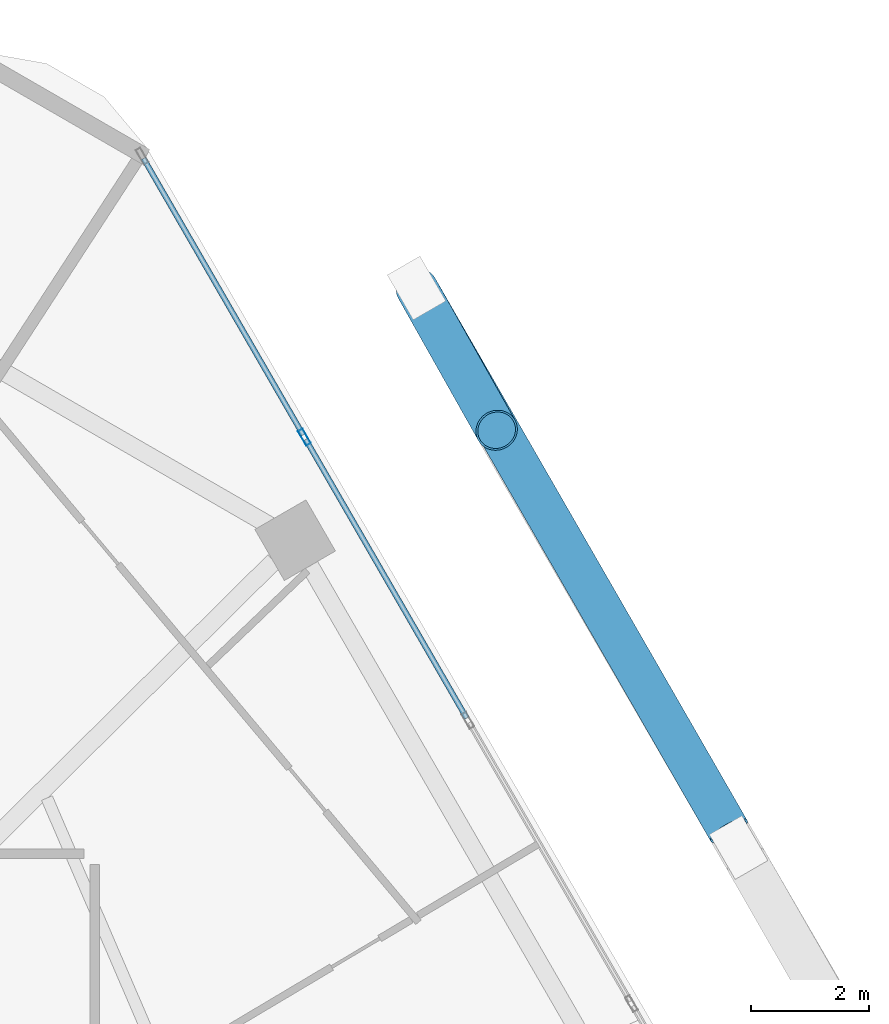
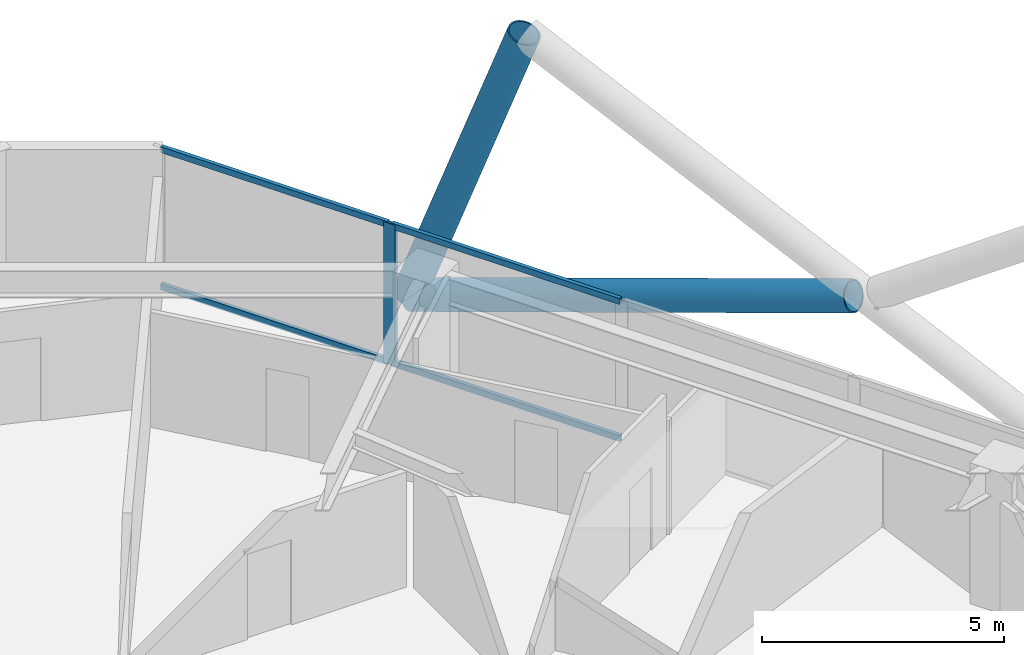
# One storey, part 19 of 29: 7 members, 1 element without a shape of its own.
"""IFC4 building model written with IfcOpenShell, lengths in metres."""

import ifcopenshell
import ifcopenshell.guid

model = None  # the IFC model being written
_history = None  # IfcOwnerHistory: only IFC2X3 demands one
_inside = {}  # id of a spatial element -> (the spatial element, [elements in it])
_under = {}  # id of a project, library or spatial element -> (it, [spatial elements below it])
_declared = {}  # id of a project -> (the project, [libraries it declares])
_typed = {}  # id of a type object -> (the type object, [elements of that type])
_made_of = {}  # id of a material, layer set ... -> (it, [elements and type objects made of it])


def new_model(schema):
    """Start an empty IFC model of exactly this schema.

    Asked for "IFC4X3", IfcOpenShell would pick the latest addendum, in which some entities
    have other attributes; the version numbers below select the first issue.
    IFC2X3 requires an IfcOwnerHistory on every rooted entity: one is made here for all.
    """
    global model, _history
    if schema == "IFC4X3":
        model = ifcopenshell.file(schema_version=(4, 3, 0, 0))
    else:
        model = ifcopenshell.file(schema=schema)
    _inside.clear()
    _under.clear()
    _declared.clear()
    _typed.clear()
    _made_of.clear()
    _history = None
    if model.schema == "IFC2X3":
        org = make("IfcOrganization", Name="unknown")
        user = make(
            "IfcPersonAndOrganization",
            ThePerson=make("IfcPerson", FamilyName="unknown"),
            TheOrganization=org,
        )
        app = make(
            "IfcApplication",
            ApplicationDeveloper=org,
            Version="unknown",
            ApplicationFullName="unknown",
            ApplicationIdentifier="unknown",
        )
        _history = make(
            "IfcOwnerHistory",
            OwningUser=user,
            OwningApplication=app,
            ChangeAction="ADDED",
            CreationDate=0,
        )
    return model


def make(cls, **values):
    """One entity of the class cls with the attributes given. An attribute that is None is left unset."""
    return model.create_entity(
        cls, **{name: value for name, value in values.items() if value is not None}
    )


def rooted(cls, **values):
    """An entity with a GlobalId (a new one), such as an element, a storey or a relation."""
    return make(cls, GlobalId=ifcopenshell.guid.new(), OwnerHistory=_history, **values)


def si_unit(unit_type, name, prefix=None):
    """IfcSIUnit, for example si_unit("LENGTHUNIT", "METRE", prefix="MILLI")."""
    return make("IfcSIUnit", UnitType=unit_type, Prefix=prefix, Name=name)


def assignment(units):
    """IfcUnitAssignment: the units of a project."""
    return None if units is None else make("IfcUnitAssignment", Units=units)


def point(xyz):
    """IfcCartesianPoint."""
    return None if xyz is None else make("IfcCartesianPoint", Coordinates=xyz)


def direction(xyz):
    """IfcDirection."""
    return None if xyz is None else make("IfcDirection", DirectionRatios=xyz)


def frame(location, z_axis=None, x_axis=None):
    """IfcAxis2Placement3D, a coordinate frame: its origin and axes. An axis left out is left unset."""
    return make(
        "IfcAxis2Placement3D",
        Location=point(location),
        Axis=direction(z_axis),
        RefDirection=direction(x_axis),
    )


def frame_2d(location, x_axis=None):
    """IfcAxis2Placement2D, a coordinate frame in the plane: its origin and x axis."""
    return make(
        "IfcAxis2Placement2D", Location=point(location), RefDirection=direction(x_axis)
    )


def origin():
    """The frame at (0, 0, 0) with its axes left unset."""
    return frame((0.0, 0.0, 0.0))


def origin_2d():
    """The frame at (0, 0) in the plane with its x axis left unset."""
    return frame_2d((0.0, 0.0))


def place(relative_to, where):
    """IfcLocalPlacement: puts the frame where relative to a parent placement (None: the world)."""
    return make(
        "IfcLocalPlacement", PlacementRelTo=relative_to, RelativePlacement=where
    )


def context(
    kind, dimensions, precision=None, world=None, true_north=None, identifier=None
):
    """IfcGeometricRepresentationContext, for example the 3D "Model" context."""
    return make(
        "IfcGeometricRepresentationContext",
        ContextIdentifier=identifier,
        ContextType=kind,
        CoordinateSpaceDimension=dimensions,
        Precision=precision,
        WorldCoordinateSystem=world,
        TrueNorth=true_north,
    )


def subcontext(parent, identifier, kind, view, scale=None):
    """IfcGeometricRepresentationSubContext, for example "Body" below "Model"."""
    return make(
        "IfcGeometricRepresentationSubContext",
        ContextIdentifier=identifier,
        ContextType=kind,
        ParentContext=parent,
        TargetScale=scale,
        TargetView=view,
    )


def project(units=None, contexts=None):
    """IfcProject with its units and contexts."""
    return rooted(
        "IfcProject",
        Name="project",
        RepresentationContexts=contexts,
        UnitsInContext=assignment(units),
    )


def spatial(cls, under=None, at=None, **own):
    """A site, building, storey or space (cls), placed at a placement, below another one or the project."""
    s = rooted(cls, ObjectPlacement=at, **own)
    if under is not None:
        _under.setdefault(under.id(), (under, []))[1].append(s)
    return s


def profile(cls, at=None, kind="AREA", **sizes):
    """A parametric profile (cls). Its sizes go by their IFC names, for example OverallWidth=200.0."""
    return make(cls, ProfileType=kind, Position=at, **sizes)


def hollow_rectangle(**sizes):
    """IfcRectangleHollowProfileDef."""
    return profile("IfcRectangleHollowProfileDef", **sizes)


def hollow_circle(**sizes):
    """IfcCircleHollowProfileDef."""
    return profile("IfcCircleHollowProfileDef", **sizes)


def extrude(swept, where, along, depth):
    """IfcExtrudedAreaSolid: the profile swept, set in the frame where, extruded along a direction by depth."""
    return make(
        "IfcExtrudedAreaSolid",
        SweptArea=swept,
        Position=where,
        ExtrudedDirection=direction(along),
        Depth=depth,
    )


def shape(context_of_items, identifier, shape_type, items):
    """IfcShapeRepresentation: the items that make up one representation, for example the "Body"."""
    return make(
        "IfcShapeRepresentation",
        ContextOfItems=context_of_items,
        RepresentationIdentifier=identifier,
        RepresentationType=shape_type,
        Items=items,
    )


def material(Name=None, Category=None):
    """IfcMaterial."""
    return make("IfcMaterial", Name=Name, Category=Category)


def material_profile(
    of_material, cross_section, Name=None, Category=None, Priority=None
):
    """IfcMaterialProfile: a cross section and its material."""
    return make(
        "IfcMaterialProfile",
        Name=Name,
        Material=of_material,
        Profile=cross_section,
        Priority=Priority,
        Category=Category,
    )


def profile_set(profiles, Name=None, composite=None):
    """IfcMaterialProfileSet."""
    return make(
        "IfcMaterialProfileSet",
        Name=Name,
        MaterialProfiles=profiles,
        CompositeProfile=composite,
    )


def made_of(thing, what):
    """Note that an element or type object is made of a material, layer set ...; save() writes the relation."""
    if what is not None:
        _made_of.setdefault(what.id(), (what, []))[1].append(thing)
    return thing


def type_object(cls, material=None, **own):
    """A type object (cls), such as IfcWallType, which elements share."""
    return made_of(rooted(cls, **own), material)


def element(
    cls,
    number,
    at=None,
    inside=None,
    cuts=None,
    type_object=None,
    material=None,
    context=None,
    identifier="Body",
    shape_type=None,
    held_by="IfcProductDefinitionShape",
    body=None,
    shapes=None,
    **own,
):
    """One element of the class cls, such as IfcWall. Its Tag is "e" and its number.

    at: its placement. inside: the storey or other place that contains it. cuts: it is an
    opening in that element (IfcRelVoidsElement). A single representation is given by context,
    identifier, shape_type and body (its items); several are given by shapes. held_by: the class
    of the entity that holds the representations. save() writes the other relations.
    """
    e = rooted(cls, Tag="e%d" % number, ObjectPlacement=at, **own)
    if body is not None:
        shapes = [shape(context, identifier, shape_type, body)]
    if shapes is not None:
        e.Representation = make(held_by, Representations=shapes)
    if inside is not None:
        _inside.setdefault(inside.id(), (inside, []))[1].append(e)
    if cuts is not None:
        rooted(
            "IfcRelVoidsElement", RelatingBuildingElement=cuts, RelatedOpeningElement=e
        )
    if type_object is not None:
        _typed.setdefault(type_object.id(), (type_object, []))[1].append(e)
    return made_of(e, material)


def aggregate(whole, parts):
    """IfcRelAggregates: a whole, such as a stair, and the parts it consists of."""
    return rooted("IfcRelAggregates", RelatingObject=whole, RelatedObjects=parts)


def save(model, path):
    """Write the relations noted so far, then the file.

    IfcRelAggregates (storeys below a building ...), IfcRelContainedInSpatialStructure (elements
    in a storey), IfcRelDefinesByType, IfcRelAssociatesMaterial and IfcRelDeclares: one each for
    every whole, place, type object, material and project.
    """
    for whole, parts in _under.values():
        aggregate(whole, parts)
    for where, things in _inside.values():
        rooted(
            "IfcRelContainedInSpatialStructure",
            RelatedElements=things,
            RelatingStructure=where,
        )
    for kind, things in _typed.values():
        rooted("IfcRelDefinesByType", RelatedObjects=things, RelatingType=kind)
    for what, things in _made_of.values():
        rooted("IfcRelAssociatesMaterial", RelatedObjects=things, RelatingMaterial=what)
    for by, libraries in _declared.values():
        rooted("IfcRelDeclares", RelatingContext=by, RelatedDefinitions=libraries)
    model.write(path)


model = new_model("IFC4")

# Units and contexts
model_context = context("Model", 3, precision=1e-05, world=origin(), true_north=direction((0.0, 1.0)))
body_context = subcontext(model_context, "Body", "Model", "MODEL_VIEW")
ifc_project = project(units=[si_unit("LENGTHUNIT", "METRE"), si_unit("AREAUNIT", "SQUARE_METRE"), si_unit("VOLUMEUNIT", "CUBIC_METRE"), si_unit("PLANEANGLEUNIT", "RADIAN"), si_unit("MASSUNIT", "GRAM", prefix="KILO")], contexts=[model_context])

# Site, building, storey
site_placement = place(None, origin())
site = spatial("IfcSite", under=ifc_project, at=site_placement, CompositionType="ELEMENT")
building_placement = place(site_placement, origin())
building = spatial("IfcBuilding", under=site, at=building_placement, Name="Zuhravey Tower", CompositionType="ELEMENT")
storey_placement = place(building_placement, frame((0.0, 0.0, 161.800048828125)))
storey = spatial("IfcBuildingStorey", under=building, at=storey_placement, Name="L40", CompositionType="ELEMENT", Elevation=161.800048828125)

# Curtain wall, members
ifc_material_1 = material(Name="Thermally broken anodised aluminium", Category="aluminium")
curtain_wall_type = type_object("IfcCurtainWallType", Name="Zone 1-2 Residential Curtain Wall CW3", PredefinedType="NOTDEFINED", material=ifc_material_1)
curtain_wall_placement = place(storey_placement, origin())
curtain_wall = element("IfcCurtainWall", 1, at=curtain_wall_placement, inside=storey, type_object=curtain_wall_type, Name="L40 CW3 CW-L40-F1-1", PredefinedType="NOTDEFINED")
ifc_material_2 = material(Name="Anodised aluminium", Category="aluminium")
ifc_material_profile_1 = material_profile(ifc_material_2, hollow_rectangle(XDim=0.090087890625, YDim=0.284912109375, WallThickness=0.0048828125, at=origin_2d()), Name="ALU-RHS-90x285x5")
ifc_profile_set_1 = profile_set([ifc_material_profile_1], Name="Anodised aluminium")
member_type_1 = type_object("IfcMemberType", Name="Curtain-Wall Mullion 90x180", PredefinedType="MULLION", material=ifc_profile_set_1)
member_1_placement = place(storey_placement, frame((55.3828125, 52.7939453125, 0.0), z_axis=(0.0, 0.0, 1.0), x_axis=(0.866025138215, 0.500000459979, 0.0)))
member_1 = element("IfcMember", 2, at=member_1_placement, type_object=member_type_1, Name="CW3 mullion 2", PredefinedType="MULLION", context=body_context, shape_type="SweptSolid", body=[
    extrude(hollow_rectangle(XDim=0.090087890625, YDim=0.284912109375, WallThickness=0.0048828125, at=origin_2d()), origin(), (0.0, 0.0, 1.0), 3.550048828125),
])
ifc_material_profile_2 = material_profile(ifc_material_2, hollow_rectangle(XDim=0.090087890625, YDim=0.14990234375, WallThickness=0.0048828125, at=origin_2d()), Name="ALU-RHS-90x150x5")
ifc_profile_set_2 = profile_set([ifc_material_profile_2], Name="Anodised aluminium")
member_type_2 = type_object("IfcMemberType", Name="Curtain-Wall Transom 90x150", PredefinedType="USERDEFINED", material=ifc_profile_set_2)
member_2_placement = place(storey_placement, frame((52.65576171875, 57.517578125, 0.044921875), z_axis=(0.499993332629, -0.866029253159, 0.0), x_axis=(0.866029253159, 0.499993332629, 0.0)))
member_2 = element("IfcMember", 3, at=member_2_placement, type_object=member_type_2, Name="CW3 transom 1.1", ObjectType="TRANSOM", PredefinedType="USERDEFINED", context=body_context, shape_type="SweptSolid", body=[
    extrude(hollow_rectangle(XDim=0.090087890625, YDim=0.14990234375, WallThickness=0.0048828125, at=origin_2d()), origin(), (0.0, 0.0, 1.0), 5.4091796875),
])
member_3_placement = place(storey_placement, frame((52.65576171875, 57.517578125, 3.5048828125), z_axis=(0.499993332629, -0.866029253159, 0.0), x_axis=(0.866029253159, 0.499993332629, 0.0)))
member_3 = element("IfcMember", 4, at=member_3_placement, type_object=member_type_2, Name="CW3 transom 1.2", ObjectType="TRANSOM", PredefinedType="USERDEFINED", context=body_context, shape_type="SweptSolid", body=[
    extrude(hollow_rectangle(XDim=0.090087890625, YDim=0.14990234375, WallThickness=0.0048828125, at=origin_2d()), origin(), (0.0, 0.0, 1.0), 5.4091796875),
])
member_4_placement = place(storey_placement, frame((55.405517578125, 52.755126953125, 0.044921875), z_axis=(0.49996138257, -0.86604769842, 0.0), x_axis=(0.86604769842, 0.49996138257, 0.0)))
member_4 = element("IfcMember", 5, at=member_4_placement, type_object=member_type_2, Name="CW3 transom 2.1", ObjectType="TRANSOM", PredefinedType="USERDEFINED", context=body_context, shape_type="SweptSolid", body=[
    extrude(hollow_rectangle(XDim=0.090087890625, YDim=0.14990234375, WallThickness=0.0048828125, at=origin_2d()), origin(), (0.0, 0.0, 1.0), 5.45458984375),
])
member_5_placement = place(storey_placement, frame((55.405517578125, 52.755126953125, 3.5048828125), z_axis=(0.49996138257, -0.86604769842, 0.0), x_axis=(0.86604769842, 0.49996138257, 0.0)))
member_5 = element("IfcMember", 6, at=member_5_placement, type_object=member_type_2, Name="CW3 transom 2.2", ObjectType="TRANSOM", PredefinedType="USERDEFINED", context=body_context, shape_type="SweptSolid", body=[
    extrude(hollow_rectangle(XDim=0.090087890625, YDim=0.14990234375, WallThickness=0.0048828125, at=origin_2d()), origin(), (0.0, 0.0, 1.0), 5.45458984375),
])
aggregate(curtain_wall, [member_1, member_2, member_3, member_4, member_5])

# Members
ifc_material_3 = material(Name="Steel SM460", Category="steel")
ifc_material_profile_3 = material_profile(ifc_material_3, hollow_circle(Radius=0.355712890625, WallThickness=0.031982421875, at=origin_2d()), Name="CHS-711.2x32")
ifc_profile_set_3 = profile_set([ifc_material_profile_3], Name="Steel SM460")
member_type_3 = type_object("IfcMemberType", Name="Exoskeleton Zone 2 Diagrid CHS711x32", PredefinedType="BRACE", material=ifc_profile_set_3)
member_6_placement = place(storey_placement, frame((57.28759765625, 55.31494140625, -0.444091796875), z_axis=(0.16821244009, -0.298778056347, 0.939380779048), x_axis=(0.871388810392, 0.490593050424, 0.0)))
element("IfcMember", 7, at=member_6_placement, inside=storey, type_object=member_type_3, Name="L40 Face 1 Diagrid Brace 4", PredefinedType="BRACE", context=body_context, shape_type="SweptSolid", body=[
    extrude(hollow_circle(Radius=0.355712890625, WallThickness=0.031982421875, at=origin_2d()), origin(), (0.0, 0.0, 1.0), 8.0478515625),
])
member_7_placement = place(storey_placement, frame((57.30615234375, 55.282470703125, -0.448486328125), z_axis=(0.471218861711, -0.818731317926, 0.328072878208), x_axis=(0.866701131839, 0.498827773955, 0.0)))
element("IfcMember", 8, at=member_7_placement, inside=storey, type_object=member_type_3, Name="L40 Face 1 Split Diagrid Brace 3A", PredefinedType="BRACE", context=body_context, shape_type="SweptSolid", body=[
    extrude(hollow_circle(Radius=0.355712890625, WallThickness=0.031982421875, at=origin_2d()), origin(), (0.0, 0.0, 1.0), 11.18994140625),
])

save(model, "model.ifc")
